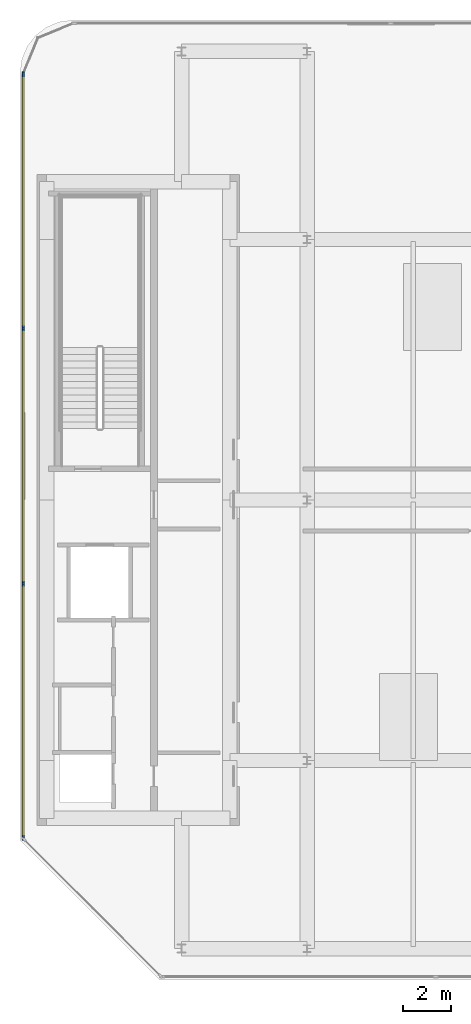
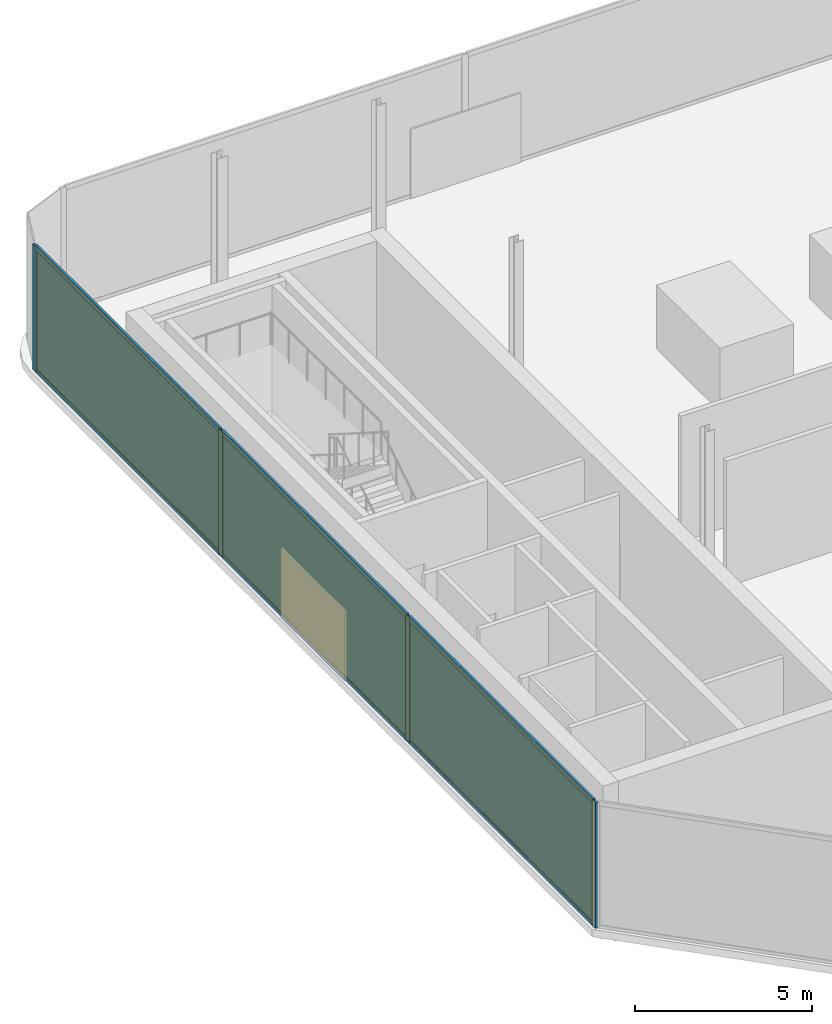
# One storey, part 8 of 15: 10 members, 3 plates, 1 curtain wall.
"""IFC4 building model written with IfcOpenShell, lengths in metres."""

import ifcopenshell
import ifcopenshell.guid

model = None  # the IFC model being written
_history = None  # IfcOwnerHistory: only IFC2X3 demands one
_inside = {}  # id of a spatial element -> (the spatial element, [elements in it])
_under = {}  # id of a project, library or spatial element -> (it, [spatial elements below it])
_declared = {}  # id of a project -> (the project, [libraries it declares])
_typed = {}  # id of a type object -> (the type object, [elements of that type])
_made_of = {}  # id of a material, layer set ... -> (it, [elements and type objects made of it])


def new_model(schema):
    """Start an empty IFC model of exactly this schema.

    Asked for "IFC4X3", IfcOpenShell would pick the latest addendum, in which some entities
    have other attributes; the version numbers below select the first issue.
    IFC2X3 requires an IfcOwnerHistory on every rooted entity: one is made here for all.
    """
    global model, _history
    if schema == "IFC4X3":
        model = ifcopenshell.file(schema_version=(4, 3, 0, 0))
    else:
        model = ifcopenshell.file(schema=schema)
    _inside.clear()
    _under.clear()
    _declared.clear()
    _typed.clear()
    _made_of.clear()
    _history = None
    if model.schema == "IFC2X3":
        org = make("IfcOrganization", Name="unknown")
        user = make(
            "IfcPersonAndOrganization",
            ThePerson=make("IfcPerson", FamilyName="unknown"),
            TheOrganization=org,
        )
        app = make(
            "IfcApplication",
            ApplicationDeveloper=org,
            Version="unknown",
            ApplicationFullName="unknown",
            ApplicationIdentifier="unknown",
        )
        _history = make(
            "IfcOwnerHistory",
            OwningUser=user,
            OwningApplication=app,
            ChangeAction="ADDED",
            CreationDate=0,
        )
    return model


def make(cls, **values):
    """One entity of the class cls with the attributes given. An attribute that is None is left unset."""
    return model.create_entity(
        cls, **{name: value for name, value in values.items() if value is not None}
    )


def rooted(cls, **values):
    """An entity with a GlobalId (a new one), such as an element, a storey or a relation."""
    return make(cls, GlobalId=ifcopenshell.guid.new(), OwnerHistory=_history, **values)


def si_unit(unit_type, name, prefix=None):
    """IfcSIUnit, for example si_unit("LENGTHUNIT", "METRE", prefix="MILLI")."""
    return make("IfcSIUnit", UnitType=unit_type, Prefix=prefix, Name=name)


def assignment(units):
    """IfcUnitAssignment: the units of a project."""
    return None if units is None else make("IfcUnitAssignment", Units=units)


def point(xyz):
    """IfcCartesianPoint."""
    return None if xyz is None else make("IfcCartesianPoint", Coordinates=xyz)


def direction(xyz):
    """IfcDirection."""
    return None if xyz is None else make("IfcDirection", DirectionRatios=xyz)


def frame(location, z_axis=None, x_axis=None):
    """IfcAxis2Placement3D, a coordinate frame: its origin and axes. An axis left out is left unset."""
    return make(
        "IfcAxis2Placement3D",
        Location=point(location),
        Axis=direction(z_axis),
        RefDirection=direction(x_axis),
    )


def frame_2d(location, x_axis=None):
    """IfcAxis2Placement2D, a coordinate frame in the plane: its origin and x axis."""
    return make(
        "IfcAxis2Placement2D", Location=point(location), RefDirection=direction(x_axis)
    )


def origin():
    """The frame at (0, 0, 0) with its axes left unset."""
    return frame((0.0, 0.0, 0.0))


def origin_2d():
    """The frame at (0, 0) in the plane with its x axis left unset."""
    return frame_2d((0.0, 0.0))


def place(relative_to, where):
    """IfcLocalPlacement: puts the frame where relative to a parent placement (None: the world)."""
    return make(
        "IfcLocalPlacement", PlacementRelTo=relative_to, RelativePlacement=where
    )


def context(
    kind, dimensions, precision=None, world=None, true_north=None, identifier=None
):
    """IfcGeometricRepresentationContext, for example the 3D "Model" context."""
    return make(
        "IfcGeometricRepresentationContext",
        ContextIdentifier=identifier,
        ContextType=kind,
        CoordinateSpaceDimension=dimensions,
        Precision=precision,
        WorldCoordinateSystem=world,
        TrueNorth=true_north,
    )


def subcontext(parent, identifier, kind, view, scale=None):
    """IfcGeometricRepresentationSubContext, for example "Body" below "Model"."""
    return make(
        "IfcGeometricRepresentationSubContext",
        ContextIdentifier=identifier,
        ContextType=kind,
        ParentContext=parent,
        TargetScale=scale,
        TargetView=view,
    )


def project(units=None, contexts=None):
    """IfcProject with its units and contexts."""
    return rooted(
        "IfcProject",
        Name="project",
        RepresentationContexts=contexts,
        UnitsInContext=assignment(units),
    )


def spatial(cls, under=None, at=None, **own):
    """A site, building, storey or space (cls), placed at a placement, below another one or the project."""
    s = rooted(cls, ObjectPlacement=at, **own)
    if under is not None:
        _under.setdefault(under.id(), (under, []))[1].append(s)
    return s


def profile(cls, at=None, kind="AREA", **sizes):
    """A parametric profile (cls). Its sizes go by their IFC names, for example OverallWidth=200.0."""
    return make(cls, ProfileType=kind, Position=at, **sizes)


def rectangle(**sizes):
    """IfcRectangleProfileDef."""
    return profile("IfcRectangleProfileDef", **sizes)


def extrude(swept, where, along, depth):
    """IfcExtrudedAreaSolid: the profile swept, set in the frame where, extruded along a direction by depth."""
    return make(
        "IfcExtrudedAreaSolid",
        SweptArea=swept,
        Position=where,
        ExtrudedDirection=direction(along),
        Depth=depth,
    )


def shape(context_of_items, identifier, shape_type, items):
    """IfcShapeRepresentation: the items that make up one representation, for example the "Body"."""
    return make(
        "IfcShapeRepresentation",
        ContextOfItems=context_of_items,
        RepresentationIdentifier=identifier,
        RepresentationType=shape_type,
        Items=items,
    )


def material(Name=None, Category=None):
    """IfcMaterial."""
    return make("IfcMaterial", Name=Name, Category=Category)


def layer(
    of_material, thickness, ventilated=None, Name=None, Category=None, Priority=None
):
    """IfcMaterialLayer: one layer of a wall or slab, of a material (None: an air gap)."""
    return make(
        "IfcMaterialLayer",
        Material=of_material,
        LayerThickness=thickness,
        IsVentilated=ventilated,
        Name=Name,
        Category=Category,
        Priority=Priority,
    )


def layer_set(layers, Name=None):
    """IfcMaterialLayerSet."""
    return make("IfcMaterialLayerSet", MaterialLayers=layers, LayerSetName=Name)


def material_profile(
    of_material, cross_section, Name=None, Category=None, Priority=None
):
    """IfcMaterialProfile: a cross section and its material."""
    return make(
        "IfcMaterialProfile",
        Name=Name,
        Material=of_material,
        Profile=cross_section,
        Priority=Priority,
        Category=Category,
    )


def profile_set(profiles, Name=None, composite=None):
    """IfcMaterialProfileSet."""
    return make(
        "IfcMaterialProfileSet",
        Name=Name,
        MaterialProfiles=profiles,
        CompositeProfile=composite,
    )


def made_of(thing, what):
    """Note that an element or type object is made of a material, layer set ...; save() writes the relation."""
    if what is not None:
        _made_of.setdefault(what.id(), (what, []))[1].append(thing)
    return thing


def type_object(cls, material=None, **own):
    """A type object (cls), such as IfcWallType, which elements share."""
    return made_of(rooted(cls, **own), material)


def element(
    cls,
    number,
    at=None,
    inside=None,
    cuts=None,
    type_object=None,
    material=None,
    context=None,
    identifier="Body",
    shape_type=None,
    held_by="IfcProductDefinitionShape",
    body=None,
    shapes=None,
    **own,
):
    """One element of the class cls, such as IfcWall. Its Tag is "e" and its number.

    at: its placement. inside: the storey or other place that contains it. cuts: it is an
    opening in that element (IfcRelVoidsElement). A single representation is given by context,
    identifier, shape_type and body (its items); several are given by shapes. held_by: the class
    of the entity that holds the representations. save() writes the other relations.
    """
    e = rooted(cls, Tag="e%d" % number, ObjectPlacement=at, **own)
    if body is not None:
        shapes = [shape(context, identifier, shape_type, body)]
    if shapes is not None:
        e.Representation = make(held_by, Representations=shapes)
    if inside is not None:
        _inside.setdefault(inside.id(), (inside, []))[1].append(e)
    if cuts is not None:
        rooted(
            "IfcRelVoidsElement", RelatingBuildingElement=cuts, RelatedOpeningElement=e
        )
    if type_object is not None:
        _typed.setdefault(type_object.id(), (type_object, []))[1].append(e)
    return made_of(e, material)


def aggregate(whole, parts):
    """IfcRelAggregates: a whole, such as a stair, and the parts it consists of."""
    return rooted("IfcRelAggregates", RelatingObject=whole, RelatedObjects=parts)


def save(model, path):
    """Write the relations noted so far, then the file.

    IfcRelAggregates (storeys below a building ...), IfcRelContainedInSpatialStructure (elements
    in a storey), IfcRelDefinesByType, IfcRelAssociatesMaterial and IfcRelDeclares: one each for
    every whole, place, type object, material and project.
    """
    for whole, parts in _under.values():
        aggregate(whole, parts)
    for where, things in _inside.values():
        rooted(
            "IfcRelContainedInSpatialStructure",
            RelatedElements=things,
            RelatingStructure=where,
        )
    for kind, things in _typed.values():
        rooted("IfcRelDefinesByType", RelatedObjects=things, RelatingType=kind)
    for what, things in _made_of.values():
        rooted("IfcRelAssociatesMaterial", RelatedObjects=things, RelatingMaterial=what)
    for by, libraries in _declared.values():
        rooted("IfcRelDeclares", RelatingContext=by, RelatedDefinitions=libraries)
    model.write(path)


model = new_model("IFC4")

# Units and contexts
model_context = context("Model", 3, precision=1e-05, world=origin(), true_north=direction((0.0, 1.0)))
body_context = subcontext(model_context, "Body", "Model", "MODEL_VIEW")
ifc_project = project(units=[si_unit("LENGTHUNIT", "METRE"), si_unit("AREAUNIT", "SQUARE_METRE"), si_unit("VOLUMEUNIT", "CUBIC_METRE"), si_unit("PLANEANGLEUNIT", "RADIAN"), si_unit("MASSUNIT", "GRAM", prefix="KILO")], contexts=[model_context])

# Member
ifc_material_1 = material(Name="Anodised Bronze Aluminium 6063-T6", Category="aluminium")
ifc_material_profile_1 = material_profile(ifc_material_1, rectangle(XDim=0.074951171875, YDim=0.2099609375, at=origin_2d()))
ifc_profile_set_1 = profile_set([ifc_material_profile_1], Name="Anodised Bronze Aluminium 6063-T6")
member_type_1 = type_object("IfcMemberType", Name="CW-CRN Mullion 75x210", PredefinedType="MULLION", material=ifc_profile_set_1)
site_placement = place(None, origin())
building_placement = place(site_placement, origin())
storey_placement = place(building_placement, frame((0.0, 0.0, 330.39990234375)))
member_1_placement = place(storey_placement, frame((-20.9599609375, -14.00439453125, 0.0), z_axis=(0.0, 0.0, 1.0), x_axis=(-1.0, 0.0, 0.0)))
member_1 = element("IfcMember", 1, at=member_1_placement, type_object=member_type_1, Name="CW-CRN mullion 1", PredefinedType="MULLION", context=body_context, shape_type="SweptSolid", body=[
    extrude(rectangle(XDim=0.074951171875, YDim=0.2099609375, at=origin_2d()), origin(), (0.0, 0.0, 1.0), 4.340087890625),
])

member_2_placement = place(storey_placement, frame((-20.9599609375, -3.46435546875, 0.0), z_axis=(0.0, 0.0, 1.0), x_axis=(-1.0, 0.0, 0.0)))
member_2 = element("IfcMember", 2, at=member_2_placement, type_object=member_type_1, Name="CW-CRN mullion 2", PredefinedType="MULLION", context=body_context, shape_type="SweptSolid", body=[
    extrude(rectangle(XDim=0.074951171875, YDim=0.2099609375, at=origin_2d()), origin(), (0.0, 0.0, 1.0), 4.340087890625),
])

member_3_placement = place(storey_placement, frame((-20.9599609375, 7.11328125, 0.0), z_axis=(0.0, 0.0, 1.0), x_axis=(-1.0, 0.0, 0.0)))
member_3 = element("IfcMember", 3, at=member_3_placement, type_object=member_type_1, Name="CW-CRN mullion 3", PredefinedType="MULLION", context=body_context, shape_type="SweptSolid", body=[
    extrude(rectangle(XDim=0.074951171875, YDim=0.2099609375, at=origin_2d()), origin(), (0.0, 0.0, 1.0), 4.340087890625),
])

member_4_placement = place(storey_placement, frame((-20.9599609375, 17.6533203125, 0.0), z_axis=(0.0, 0.0, 1.0), x_axis=(-1.0, 0.0, 0.0)))
member_4 = element("IfcMember", 4, at=member_4_placement, type_object=member_type_1, Name="CW-CRN mullion 4", PredefinedType="MULLION", context=body_context, shape_type="SweptSolid", body=[
    extrude(rectangle(XDim=0.074951171875, YDim=0.2099609375, at=origin_2d()), origin(), (0.0, 0.0, 1.0), 4.340087890625),
])

ifc_material_2 = material(Name="Anodised Bronze Aluminium 6063-T6", Category="aluminium")
ifc_material_profile_2 = material_profile(ifc_material_2, rectangle(XDim=0.074951171875, YDim=0.1650390625, at=origin_2d()))
ifc_profile_set_2 = profile_set([ifc_material_profile_2], Name="Anodised Bronze Aluminium 6063-T6")
member_type_2 = type_object("IfcMemberType", Name="CW-CRN Transom 75x165", PredefinedType="USERDEFINED", material=ifc_profile_set_2)
member_5_placement = place(storey_placement, frame((-20.9599609375, -13.967041015625, 0.03759765625), z_axis=(0.0, 1.0, 0.0), x_axis=(-1.0, 0.0, 0.0)))
member_5 = element("IfcMember", 5, at=member_5_placement, type_object=member_type_2, Name="CW-CRN transom 1.1", ObjectType="TRANSOM", PredefinedType="USERDEFINED", context=body_context, shape_type="SweptSolid", body=[
    extrude(rectangle(XDim=0.074951171875, YDim=0.1650390625, at=origin_2d()), origin(), (0.0, 0.0, 1.0), 10.465087890625),
])

member_6_placement = place(storey_placement, frame((-20.9599609375, -13.967041015625, 4.302490234375), z_axis=(0.0, 1.0, 0.0), x_axis=(-1.0, 0.0, 0.0)))
member_6 = element("IfcMember", 6, at=member_6_placement, type_object=member_type_2, Name="CW-CRN transom 1.2", ObjectType="TRANSOM", PredefinedType="USERDEFINED", context=body_context, shape_type="SweptSolid", body=[
    extrude(rectangle(XDim=0.074951171875, YDim=0.1650390625, at=origin_2d()), origin(), (0.0, 0.0, 1.0), 10.465087890625),
])

member_7_placement = place(storey_placement, frame((-20.9599609375, -3.427001953125, 0.03759765625), z_axis=(0.0, 1.0, 0.0), x_axis=(-1.0, 0.0, 0.0)))
member_7 = element("IfcMember", 7, at=member_7_placement, type_object=member_type_2, Name="CW-CRN transom 2.1", ObjectType="TRANSOM", PredefinedType="USERDEFINED", context=body_context, shape_type="SweptSolid", body=[
    extrude(rectangle(XDim=0.074951171875, YDim=0.1650390625, at=origin_2d()), origin(), (0.0, 0.0, 1.0), 10.502685546875),
])

member_8_placement = place(storey_placement, frame((-20.9599609375, -3.427001953125, 4.302490234375), z_axis=(0.0, 1.0, 0.0), x_axis=(-1.0, 0.0, 0.0)))
member_8 = element("IfcMember", 8, at=member_8_placement, type_object=member_type_2, Name="CW-CRN transom 2.2", ObjectType="TRANSOM", PredefinedType="USERDEFINED", context=body_context, shape_type="SweptSolid", body=[
    extrude(rectangle(XDim=0.074951171875, YDim=0.1650390625, at=origin_2d()), origin(), (0.0, 0.0, 1.0), 10.502685546875),
])

member_9_placement = place(storey_placement, frame((-20.9599609375, 7.150634765625, 0.03759765625), z_axis=(0.0, 1.0, 0.0), x_axis=(-1.0, 0.0, 0.0)))
member_9 = element("IfcMember", 9, at=member_9_placement, type_object=member_type_2, Name="CW-CRN transom 3.1", ObjectType="TRANSOM", PredefinedType="USERDEFINED", context=body_context, shape_type="SweptSolid", body=[
    extrude(rectangle(XDim=0.074951171875, YDim=0.1650390625, at=origin_2d()), origin(), (0.0, 0.0, 1.0), 10.465087890625),
])

member_10_placement = place(storey_placement, frame((-20.9599609375, 7.150634765625, 4.302490234375), z_axis=(0.0, 1.0, 0.0), x_axis=(-1.0, 0.0, 0.0)))
member_10 = element("IfcMember", 10, at=member_10_placement, type_object=member_type_2, Name="CW-CRN transom 3.2", ObjectType="TRANSOM", PredefinedType="USERDEFINED", context=body_context, shape_type="SweptSolid", body=[
    extrude(rectangle(XDim=0.074951171875, YDim=0.1650390625, at=origin_2d()), origin(), (0.0, 0.0, 1.0), 10.465087890625),
])

# Plate
ifc_material_3 = material(Name="Low-E Solar Control Laminated Glass", Category="glass")
ifc_layer_1 = layer(ifc_material_3, 0.035888671875, Name="Low-E Solar Control Laminated Glass")
ifc_layer_set_1 = layer_set([ifc_layer_1], Name="Low-E Solar Control Laminated Glass")
plate_type = type_object("IfcPlateType", Name="CW-CRN Low-E Double Glazed Panel 36mm", PredefinedType="CURTAIN_PANEL", material=ifc_layer_set_1)
plate_1_placement = place(storey_placement, frame((-20.9599609375, -8.734375, 0.0751953125), z_axis=(0.0, 0.0, 1.0), x_axis=(0.0, 1.0, 0.0)))
plate_1 = element("IfcPlate", 11, at=plate_1_placement, type_object=plate_type, Name="CW-CRN panel 1.1", PredefinedType="CURTAIN_PANEL", context=body_context, shape_type="SweptSolid", body=[
    extrude(rectangle(XDim=10.465087890625, YDim=0.035888671875, at=origin_2d()), origin(), (0.0, 0.0, 1.0), 4.18994140625),
])

plate_2_placement = place(storey_placement, frame((-20.9599609375, 1.824462890625, 0.0751953125), z_axis=(0.0, 0.0, 1.0), x_axis=(0.0, 1.0, 0.0)))
plate_2 = element("IfcPlate", 12, at=plate_2_placement, type_object=plate_type, Name="CW-CRN panel 2.1", PredefinedType="CURTAIN_PANEL", context=body_context, shape_type="SweptSolid", body=[
    extrude(rectangle(XDim=10.502685546875, YDim=0.035888671875, at=origin_2d()), origin(), (0.0, 0.0, 1.0), 4.18994140625),
])

plate_3_placement = place(storey_placement, frame((-20.9599609375, 12.38330078125, 0.0751953125), z_axis=(0.0, 0.0, 1.0), x_axis=(0.0, 1.0, 0.0)))
plate_3 = element("IfcPlate", 13, at=plate_3_placement, type_object=plate_type, Name="CW-CRN panel 3.1", PredefinedType="CURTAIN_PANEL", context=body_context, shape_type="SweptSolid", body=[
    extrude(rectangle(XDim=10.465087890625, YDim=0.035888671875, at=origin_2d()), origin(), (0.0, 0.0, 1.0), 4.18994140625),
])

# Site, building, storey
site = spatial("IfcSite", under=ifc_project, at=site_placement, CompositionType="ELEMENT")
building = spatial("IfcBuilding", under=site, at=building_placement, Name="Khairoan Windgate Tower", CompositionType="ELEMENT")
storey = spatial("IfcBuildingStorey", under=building, at=storey_placement, Name="L79", CompositionType="ELEMENT", Elevation=330.39990234375)

# Curtain wall
ifc_material_4 = material(Name="Anodised Bronze Aluminium 6063-T6", Category="aluminium")
ifc_layer_2 = layer(ifc_material_4, 0.2099609375, Name="Anodised Bronze Aluminium 6063-T6")
ifc_layer_set_2 = layer_set([ifc_layer_2], Name="Anodised Bronze Aluminium 6063-T6")
curtain_wall_type = type_object("IfcCurtainWallType", Name="Crown Observation and Vitrine Curtain Wall CW-CRN", PredefinedType="NOTDEFINED", material=ifc_layer_set_2)
curtain_wall_placement = place(storey_placement, frame((-20.9599609375, -14.0419921875, 0.0), z_axis=(0.0, 0.0, 1.0), x_axis=(0.0, 1.0, 0.0)))
curtain_wall = element("IfcCurtainWall", 14, at=curtain_wall_placement, inside=storey, type_object=curtain_wall_type, Name="L79 Unitised Curtain Wall 3", PredefinedType="NOTDEFINED", context=body_context, shape_type="SweptSolid", body=[
    extrude(rectangle(XDim=31.73291015625, YDim=0.010009765625, at=frame_2d((15.866455078125, 0.0))), origin(), (0.0, 0.0, 1.0), 4.340087890625),
])

aggregate(curtain_wall, [member_1, member_2, member_3, member_4, member_5, member_6, plate_1, member_7, member_8, plate_2, member_9, member_10, plate_3])

save(model, "model.ifc")
